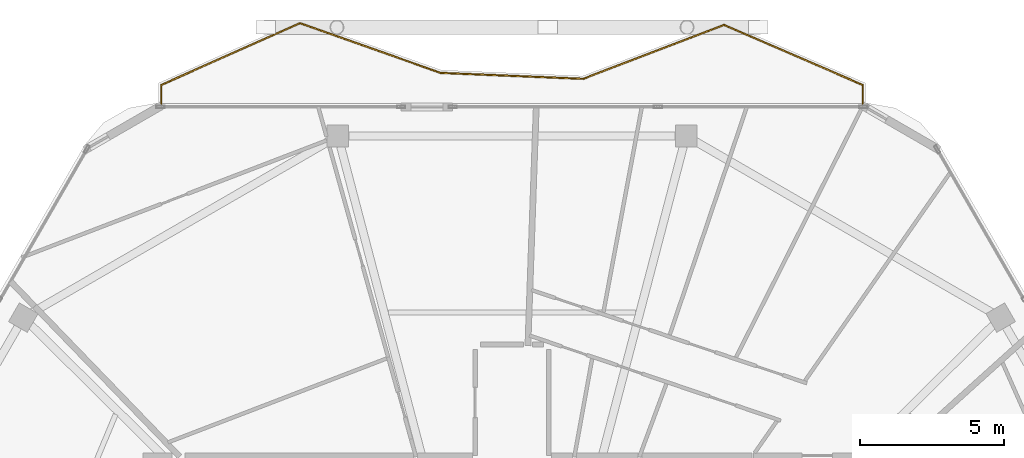
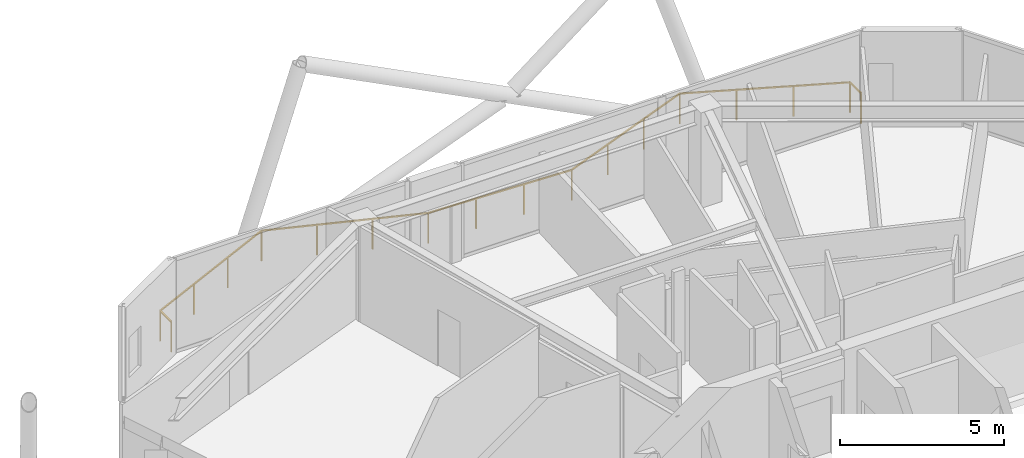
# One storey, part 23 of 23: 1 railing.
"""IFC4 building model written with IfcOpenShell, lengths in metres."""

from ifc_helpers import new_model, si_unit, direction, frame, origin, origin_2d, place, context, subcontext, project, spatial, rectangle, extrude, material, type_object, element, save


model = new_model("IFC4")

# Units and contexts
model_context = context("Model", 3, precision=1e-05, world=origin(), true_north=direction((0.0, 1.0)))
body_context = subcontext(model_context, "Body", "Model", "MODEL_VIEW")
ifc_project = project(units=[si_unit("LENGTHUNIT", "METRE"), si_unit("AREAUNIT", "SQUARE_METRE"), si_unit("VOLUMEUNIT", "CUBIC_METRE"), si_unit("PLANEANGLEUNIT", "RADIAN"), si_unit("MASSUNIT", "GRAM", prefix="KILO")], contexts=[model_context])

# Site, building, storey
site_placement = place(None, origin())
site = spatial("IfcSite", under=ifc_project, at=site_placement, CompositionType="ELEMENT")
building_placement = place(site_placement, origin())
building = spatial("IfcBuilding", under=site, at=building_placement, Name="Zuhravey Tower", CompositionType="ELEMENT")
storey_placement = place(building_placement, frame((0.0, 0.0, 346.199951171875)))
storey = spatial("IfcBuildingStorey", under=building, at=storey_placement, Name="L88", CompositionType="ELEMENT", Elevation=346.199951171875)

# Railing
ifc_material = material(Name="Stainless steel 316 and laminated glass", Category="steel")
railing_type = type_object("IfcRailingType", Name="Balcony & Terrace Guardrail 1150", PredefinedType="BALUSTRADE", material=ifc_material)
railing_placement = place(storey_placement, frame((23.831787109375, 56.1591796875, 0.0)))
element("IfcRailing", 1, at=railing_placement, inside=storey, type_object=railing_type, Name="L88 Face 2 Wave Balcony Guardrail GR1", PredefinedType="BALUSTRADE", context=body_context, shape_type="SweptSolid", body=[
    extrude(rectangle(XDim=0.048095703125, YDim=0.048095703125, at=origin_2d()), frame((0.0, 0.001953125, 1.1259765625), z_axis=(0.0, 1.0, 0.0), x_axis=(-1.0, 0.0, 0.0)), (0.0, 0.0, 1.0), 0.671142578125),
    extrude(rectangle(XDim=0.048095703125, YDim=0.048095703125, at=origin_2d()), frame((0.001708984375, 0.67578125, 1.1259765625), z_axis=(0.9133657059, 0.407140132247, 0.0), x_axis=(-0.407140132247, 0.9133657059, 0.0)), (0.0, 0.0, 1.0), 5.263916015625),
    extrude(rectangle(XDim=0.048095703125, YDim=0.048095703125, at=origin_2d()), frame((4.8134765625, 2.819091796875, 1.1259765625), z_axis=(0.942801369232, -0.333355033222, 0.0), x_axis=(0.333355033222, 0.942801369232, 0.0)), (0.0, 0.0, 1.0), 5.176025390625),
    extrude(rectangle(XDim=0.048095703125, YDim=0.048095703125, at=origin_2d()), frame((9.697265625, 1.093017578125, 1.1259765625), z_axis=(0.999138452751, -0.041501231726, 0.0), x_axis=(0.041501231726, 0.999138452751, 0.0)), (0.0, 0.0, 1.0), 4.943359375),
    extrude(rectangle(XDim=0.048095703125, YDim=0.048095703125, at=origin_2d()), frame((14.640380859375, 0.888427734375, 1.1259765625), z_axis=(0.933987290088, 0.357306229939, 0.0), x_axis=(-0.357306229939, 0.933987290088, 0.0)), (0.0, 0.0, 1.0), 5.22998046875),
    extrude(rectangle(XDim=0.048095703125, YDim=0.048095703125, at=origin_2d()), frame((19.52880859375, 2.757080078125, 1.1259765625), z_axis=(0.917600934483, -0.397502861669, 0.0), x_axis=(0.397502861669, 0.917600934483, 0.0)), (0.0, 0.0, 1.0), 5.237548828125),
    extrude(rectangle(XDim=0.048095703125, YDim=0.048095703125, at=origin_2d()), frame((24.33642578125, 0.67236328125, 1.1259765625), z_axis=(0.0, -1.0, 0.0), x_axis=(1.0, 0.0, 0.0)), (0.0, 0.0, 1.0), 0.67041015625),
    extrude(rectangle(XDim=0.0419921875, YDim=0.0419921875, at=origin_2d()), origin(), (0.0, 0.0, 1.0), 1.099853515625),
    extrude(rectangle(XDim=0.0419921875, YDim=0.0419921875, at=origin_2d()), frame((0.0, 0.675048828125, 0.0)), (0.0, 0.0, 1.0), 1.099853515625),
    extrude(rectangle(XDim=0.0419921875, YDim=0.0419921875, at=origin_2d()), frame((1.603759765625, 1.389892578125, 0.0)), (0.0, 0.0, 1.0), 1.099853515625),
    extrude(rectangle(XDim=0.0419921875, YDim=0.0419921875, at=origin_2d()), frame((3.207763671875, 2.10498046875, 0.0)), (0.0, 0.0, 1.0), 1.099853515625),
    extrude(rectangle(XDim=0.0419921875, YDim=0.0419921875, at=origin_2d()), frame((4.8115234375, 2.81982421875, 0.0)), (0.0, 0.0, 1.0), 1.099853515625),
    extrude(rectangle(XDim=0.0419921875, YDim=0.0419921875, at=origin_2d()), frame((6.439453125, 2.244140625, 0.0)), (0.0, 0.0, 1.0), 1.099853515625),
    extrude(rectangle(XDim=0.0419921875, YDim=0.0419921875, at=origin_2d()), frame((8.0673828125, 1.668701171875, 0.0)), (0.0, 0.0, 1.0), 1.099853515625),
    extrude(rectangle(XDim=0.0419921875, YDim=0.0419921875, at=origin_2d()), frame((9.6953125, 1.093017578125, 0.0)), (0.0, 0.0, 1.0), 1.099853515625),
    extrude(rectangle(XDim=0.0419921875, YDim=0.0419921875, at=origin_2d()), frame((11.343017578125, 1.024658203125, 0.0)), (0.0, 0.0, 1.0), 1.099853515625),
    extrude(rectangle(XDim=0.0419921875, YDim=0.0419921875, at=origin_2d()), frame((12.99072265625, 0.9560546875, 0.0)), (0.0, 0.0, 1.0), 1.099853515625),
    extrude(rectangle(XDim=0.0419921875, YDim=0.0419921875, at=origin_2d()), frame((14.638427734375, 0.8876953125, 0.0)), (0.0, 0.0, 1.0), 1.099853515625),
    extrude(rectangle(XDim=0.0419921875, YDim=0.0419921875, at=origin_2d()), frame((16.267822265625, 1.510986328125, 0.0)), (0.0, 0.0, 1.0), 1.099853515625),
    extrude(rectangle(XDim=0.0419921875, YDim=0.0419921875, at=origin_2d()), frame((17.8974609375, 2.134521484375, 0.0)), (0.0, 0.0, 1.0), 1.099853515625),
    extrude(rectangle(XDim=0.0419921875, YDim=0.0419921875, at=origin_2d()), frame((19.52685546875, 2.7578125, 0.0)), (0.0, 0.0, 1.0), 1.099853515625),
    extrude(rectangle(XDim=0.0419921875, YDim=0.0419921875, at=origin_2d()), frame((21.130126953125, 2.063232421875, 0.0)), (0.0, 0.0, 1.0), 1.099853515625),
    extrude(rectangle(XDim=0.0419921875, YDim=0.0419921875, at=origin_2d()), frame((22.733154296875, 1.368896484375, 0.0)), (0.0, 0.0, 1.0), 1.099853515625),
    extrude(rectangle(XDim=0.0419921875, YDim=0.0419921875, at=origin_2d()), frame((24.33642578125, 0.67431640625, 0.0)), (0.0, 0.0, 1.0), 1.099853515625),
    extrude(rectangle(XDim=0.0419921875, YDim=0.0419921875, at=origin_2d()), frame((24.33642578125, 0.0, 0.0)), (0.0, 0.0, 1.0), 1.099853515625),
])

save(model, "model.ifc")
